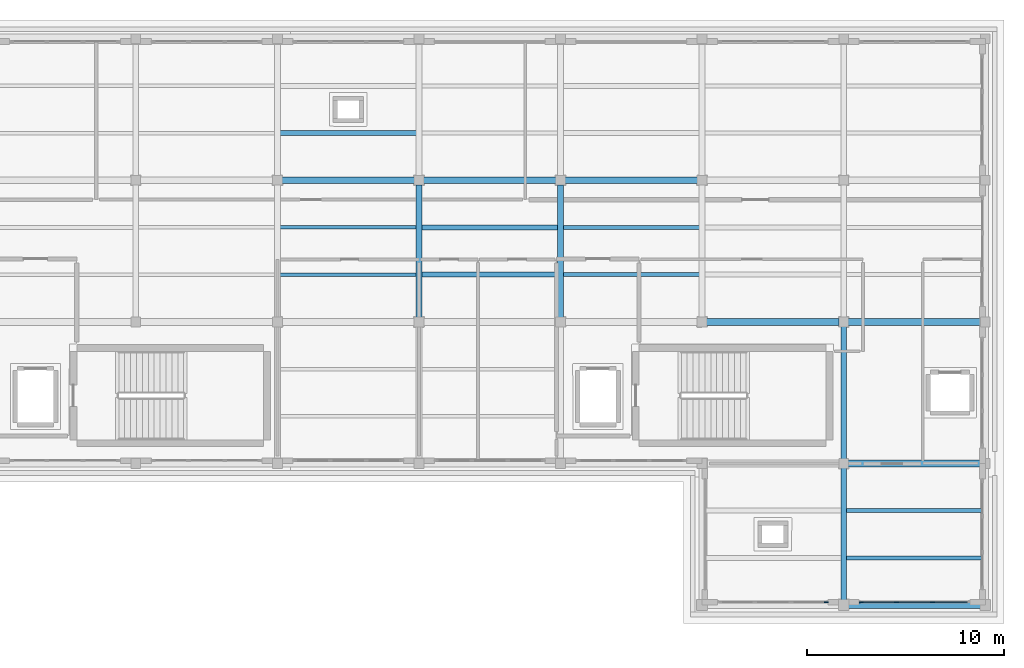
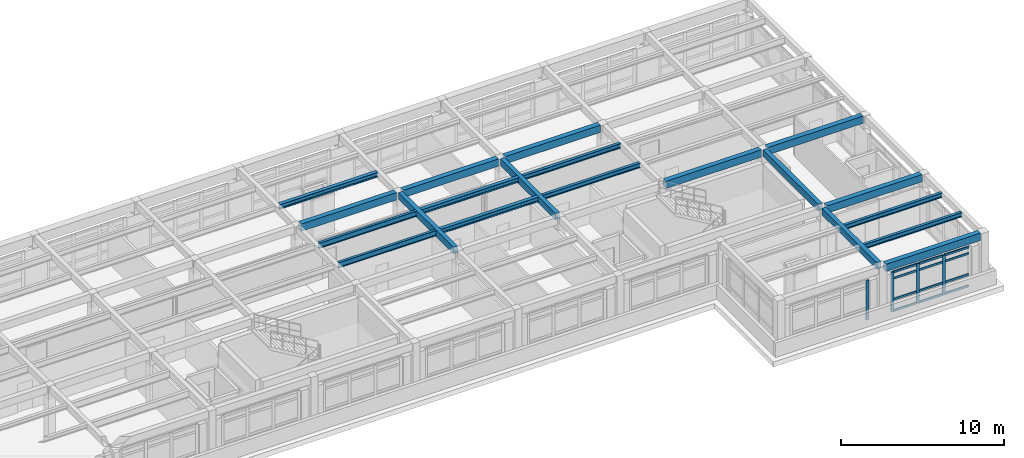
# One storey, part 7 of 20: 20 beams, 16 members, 2 elements without a shape of their own.
"""IFC4 building model written with IfcOpenShell, lengths in metres."""

from ifc_helpers import new_model, si_unit, direction, frame, origin, origin_2d, place, context, subcontext, project, spatial, rectangle, i_section, extrude, material, layer, layer_set, material_profile, profile_set, type_object, element, aggregate, save


model = new_model("IFC4")

# Units and contexts
model_context = context("Model", 3, precision=1e-05, world=origin(), true_north=direction((0.0, 1.0)))
body_context = subcontext(model_context, "Body", "Model", "MODEL_VIEW")
ifc_project = project(units=[si_unit("LENGTHUNIT", "METRE"), si_unit("AREAUNIT", "SQUARE_METRE"), si_unit("VOLUMEUNIT", "CUBIC_METRE"), si_unit("PLANEANGLEUNIT", "RADIAN"), si_unit("MASSUNIT", "GRAM", prefix="KILO")], contexts=[model_context])

# Site, building, storey
site_placement = place(None, origin())
site = spatial("IfcSite", under=ifc_project, at=site_placement, CompositionType="ELEMENT")
building_placement = place(site_placement, origin())
building = spatial("IfcBuilding", under=site, at=building_placement, Name="Solenvale Faculty of Natural Sciences", CompositionType="ELEMENT")
storey_placement = place(building_placement, frame((0.0, 0.0, 35.39990234375)))
storey = spatial("IfcBuildingStorey", under=building, at=storey_placement, Name="L08", CompositionType="ELEMENT", Elevation=35.39990234375)

# Beams
ifc_material_1 = material(Name="Concrete 40 MPa", Category="concrete")
ifc_material_profile_1 = material_profile(ifc_material_1, rectangle(XDim=0.300048828125, YDim=0.5, at=origin_2d()), Name="RC-BM-300x500")
ifc_profile_set_1 = profile_set([ifc_material_profile_1], Name="Concrete 40 MPa")
beam_type_1 = type_object("IfcBeamType", Name="BM-RC-300x500", PredefinedType="BEAM", material=ifc_profile_set_1)
for number, where, z_axis, x_axis, name in (
    (1, (122.39990234375, 101.030029296875, 3.670166015625), (0.0, 1.0, 0.0), (-1.0, 0.0, 0.0), "L08 Y-Girder X122.4 (100.8..108.0)"),
    (2, (129.60009765625, 101.030029296875, 3.670166015625), (0.0, 1.0, 0.0), (-1.0, 0.0, 0.0), "L08 Y-Girder X129.6 (100.8..108.0)"),
):
    element("IfcBeam", number, at=place(storey_placement, frame(where, z_axis=z_axis, x_axis=x_axis)), inside=storey, type_object=beam_type_1, Name=name, PredefinedType="BEAM", context=body_context, shape_type="SweptSolid", body=[
        extrude(rectangle(XDim=0.300048828125, YDim=0.5, at=origin_2d()), origin(), (0.0, 0.0, 1.0), 6.739990234375),
    ])
beam_1_placement = place(storey_placement, frame((144.0, 86.655029296875, 3.670166015625), z_axis=(0.0, 1.0, 0.0), x_axis=(-1.0, 0.0, 0.0)))
element("IfcBeam", 3, at=beam_1_placement, inside=storey, type_object=beam_type_1, Name="L08 Y-Girder X144.0 (86.4..93.6)", PredefinedType="BEAM", context=body_context, shape_type="SweptSolid", body=[
    extrude(rectangle(XDim=0.300048828125, YDim=0.5, at=origin_2d()), origin(), (0.0, 0.0, 1.0), 6.715087890625),
])
beam_2_placement = place(storey_placement, frame((144.0, 93.830078125, 3.670166015625), z_axis=(0.0, 1.0, 0.0), x_axis=(-1.0, 0.0, 0.0)))
element("IfcBeam", 4, at=beam_2_placement, inside=storey, type_object=beam_type_1, Name="L08 Y-Girder X144.0 (93.6..100.8)", PredefinedType="BEAM", context=body_context, shape_type="SweptSolid", body=[
    extrude(rectangle(XDim=0.300048828125, YDim=0.5, at=origin_2d()), origin(), (0.0, 0.0, 1.0), 6.739990234375),
])
ifc_material_profile_2 = material_profile(ifc_material_1, rectangle(XDim=0.35009765625, YDim=0.550048828125, at=origin_2d()), Name="RC-BM-350x550")
ifc_profile_set_2 = profile_set([ifc_material_profile_2], Name="Concrete 40 MPa")
beam_type_2 = type_object("IfcBeamType", Name="BM-RC-350x550", PredefinedType="BEAM", material=ifc_profile_set_2)
beam_3_placement = place(storey_placement, frame((144.2548828125, 86.39990234375, 3.64501953125), z_axis=(1.0, 0.0, 0.0), x_axis=(0.0, 1.0, 0.0)))
element("IfcBeam", 5, at=beam_3_placement, inside=storey, type_object=beam_type_2, Name="L08 X-Girder Y86.4 (144.0..151.2)", PredefinedType="BEAM", context=body_context, shape_type="SweptSolid", body=[
    extrude(rectangle(XDim=0.35009765625, YDim=0.550048828125, at=origin_2d()), origin(), (0.0, 0.0, 1.0), 6.690185546875),
])
for number, where, z_axis, x_axis, name in (
    (6, (144.22998046875, 93.60009765625, 3.64501953125), (1.0, 0.0, 0.0), (0.0, 1.0, 0.0), "L08 X-Girder Y93.6 (144.0..151.2)"),
    (7, (137.030029296875, 100.800048828125, 3.64501953125), (1.0, 0.0, 0.0), (0.0, 1.0, 0.0), "L08 X-Girder Y100.8 (136.8..144.0)"),
    (8, (144.22998046875, 100.800048828125, 3.64501953125), (1.0, 0.0, 0.0), (0.0, 1.0, 0.0), "L08 X-Girder Y100.8 (144.0..151.2)"),
    (9, (115.429931640625, 108.0, 3.64501953125), (1.0, 0.0, 0.0), (0.0, 1.0, 0.0), "L08 X-Girder Y108.0 (115.2..122.4)"),
):
    element("IfcBeam", number, at=place(storey_placement, frame(where, z_axis=z_axis, x_axis=x_axis)), inside=storey, type_object=beam_type_2, Name=name, PredefinedType="BEAM", context=body_context, shape_type="SweptSolid", body=[
        extrude(rectangle(XDim=0.35009765625, YDim=0.550048828125, at=origin_2d()), origin(), (0.0, 0.0, 1.0), 6.739990234375),
    ])
beam_4_placement = place(storey_placement, frame((122.6298828125, 108.0, 3.64501953125), z_axis=(1.0, 0.0, 0.0), x_axis=(0.0, 1.0, 0.0)))
element("IfcBeam", 10, at=beam_4_placement, inside=storey, type_object=beam_type_2, Name="L08 X-Girder Y108.0 (122.4..129.6)", PredefinedType="BEAM", context=body_context, shape_type="SweptSolid", body=[
    extrude(rectangle(XDim=0.35009765625, YDim=0.550048828125, at=origin_2d()), origin(), (0.0, 0.0, 1.0), 6.740234375),
])
beam_5_placement = place(storey_placement, frame((129.830078125, 108.0, 3.64501953125), z_axis=(1.0, 0.0, 0.0), x_axis=(0.0, 1.0, 0.0)))
element("IfcBeam", 11, at=beam_5_placement, inside=storey, type_object=beam_type_2, Name="L08 X-Girder Y108.0 (129.6..136.8)", PredefinedType="BEAM", context=body_context, shape_type="SweptSolid", body=[
    extrude(rectangle(XDim=0.35009765625, YDim=0.550048828125, at=origin_2d()), origin(), (0.0, 0.0, 1.0), 6.739990234375),
])
ifc_material_2 = material(Name="Steel S355", Category="steel")
ifc_material_profile_3 = material_profile(ifc_material_2, i_section(OverallWidth=0.2548828125, OverallDepth=0.35693359375, WebThickness=0.010498046875, FlangeThickness=0.018310546875, FilletRadius=0.014892578125, at=origin_2d()), Name="W360x101")
ifc_profile_set_3 = profile_set([ifc_material_profile_3], Name="Steel S355")
beam_type_3 = type_object("IfcBeamType", Name="BM-STL-W360x101", PredefinedType="JOIST", material=ifc_profile_set_3)
for number, where, z_axis, x_axis, name in (
    (12, (115.330078125, 110.39990234375, 3.74169921875), (1.0, 0.0, 0.0), (0.0, 1.0, 0.0), "L08 Composite Floor Joist (17,16).1"),
    (13, (122.530029296875, 103.199951171875, 3.74169921875), (1.0, 0.0, 0.0), (0.0, 1.0, 0.0), "L08 Composite Floor Joist (18,15).1"),
    (14, (122.530029296875, 105.60009765625, 3.74169921875), (1.0, 0.0, 0.0), (0.0, 1.0, 0.0), "L08 Composite Floor Joist (18,15).2"),
):
    element("IfcBeam", number, at=place(storey_placement, frame(where, z_axis=z_axis, x_axis=x_axis)), inside=storey, type_object=beam_type_3, Name=name, PredefinedType="JOIST", context=body_context, shape_type="SweptSolid", body=[
        extrude(i_section(OverallWidth=0.2548828125, OverallDepth=0.35693359375, WebThickness=0.010498046875, FlangeThickness=0.018310546875, FilletRadius=0.014892578125, at=origin_2d()), origin(), (0.0, 0.0, 1.0), 6.93994140625),
    ])
ifc_material_profile_4 = material_profile(ifc_material_2, i_section(OverallWidth=0.2041015625, OverallDepth=0.35009765625, WebThickness=0.008544921875, FlangeThickness=0.01513671875, FilletRadius=0.014892578125, at=origin_2d()), Name="W360x72")
ifc_profile_set_4 = profile_set([ifc_material_profile_4], Name="Steel S355")
beam_type_4 = type_object("IfcBeamType", Name="BM-STL-W360x72", PredefinedType="JOIST", material=ifc_profile_set_4)
for number, where, z_axis, x_axis, name in (
    (15, (129.72998046875, 103.199951171875, 3.7451171875), (1.0, 0.0, 0.0), (0.0, 1.0, 0.0), "L08 Composite Floor Joist (19,15).1"),
    (16, (129.72998046875, 105.60009765625, 3.7451171875), (1.0, 0.0, 0.0), (0.0, 1.0, 0.0), "L08 Composite Floor Joist (19,15).2"),
):
    element("IfcBeam", number, at=place(storey_placement, frame(where, z_axis=z_axis, x_axis=x_axis)), inside=storey, type_object=beam_type_4, Name=name, PredefinedType="JOIST", context=body_context, shape_type="SweptSolid", body=[
        extrude(i_section(OverallWidth=0.2041015625, OverallDepth=0.35009765625, WebThickness=0.008544921875, FlangeThickness=0.01513671875, FilletRadius=0.014892578125, at=origin_2d()), origin(), (0.0, 0.0, 1.0), 6.93994140625),
    ])
for number, where, z_axis, x_axis, name in (
    (17, (144.1298828125, 88.800048828125, 3.7451171875), (1.0, 0.0, 0.0), (0.0, 1.0, 0.0), "L08 Composite Floor Joist (21,13).1"),
    (18, (144.1298828125, 91.199951171875, 3.7451171875), (1.0, 0.0, 0.0), (0.0, 1.0, 0.0), "L08 Composite Floor Joist (21,13).2"),
):
    element("IfcBeam", number, at=place(storey_placement, frame(where, z_axis=z_axis, x_axis=x_axis)), inside=storey, type_object=beam_type_4, Name=name, PredefinedType="JOIST", context=body_context, shape_type="SweptSolid", body=[
        extrude(i_section(OverallWidth=0.2041015625, OverallDepth=0.35009765625, WebThickness=0.008544921875, FlangeThickness=0.01513671875, FilletRadius=0.014892578125, at=origin_2d()), origin(), (0.0, 0.0, 1.0), 6.940185546875),
    ])
ifc_material_profile_5 = material_profile(ifc_material_2, i_section(OverallWidth=0.178955078125, OverallDepth=0.409912109375, WebThickness=0.0087890625, FlangeThickness=0.014404296875, FilletRadius=0.01611328125, at=origin_2d()), Name="W410x67")
ifc_profile_set_5 = profile_set([ifc_material_profile_5], Name="Steel S355")
beam_type_5 = type_object("IfcBeamType", Name="BM-STL-W410x67", PredefinedType="JOIST", material=ifc_profile_set_5)
for number, where, z_axis, x_axis, name in (
    (19, (115.330078125, 103.199951171875, 3.715087890625), (1.0, 0.0, 0.0), (0.0, 1.0, 0.0), "L08 Composite Floor Joist (17,15).1"),
    (20, (115.330078125, 105.60009765625, 3.715087890625), (1.0, 0.0, 0.0), (0.0, 1.0, 0.0), "L08 Composite Floor Joist (17,15).2"),
):
    element("IfcBeam", number, at=place(storey_placement, frame(where, z_axis=z_axis, x_axis=x_axis)), inside=storey, type_object=beam_type_5, Name=name, PredefinedType="JOIST", context=body_context, shape_type="SweptSolid", body=[
        extrude(i_section(OverallWidth=0.178955078125, OverallDepth=0.409912109375, WebThickness=0.0087890625, FlangeThickness=0.014404296875, FilletRadius=0.01611328125, at=origin_2d()), origin(), (0.0, 0.0, 1.0), 6.93994140625),
    ])

# Curtain wall, member
ifc_material_3 = material(Name="Anodised bronze aluminium", Category="aluminium")
ifc_layer = layer(ifc_material_3, 0.179931640625)
ifc_layer_set = layer_set([ifc_layer], Name="Anodised bronze aluminium")
curtain_wall_type = type_object("IfcCurtainWallType", Name="CW-TWR-MOD", PredefinedType="USERDEFINED", material=ifc_layer_set)
curtain_wall_1_placement = place(storey_placement, origin())
curtain_wall_1 = element("IfcCurtainWall", 21, at=curtain_wall_1_placement, inside=storey, type_object=curtain_wall_type, Name="L08 Curtain Wall CW-L08-P1-E6-B1", ObjectType="UNITISED CURTAIN WALL", PredefinedType="USERDEFINED")
ifc_material_profile_6 = material_profile(ifc_material_3, rectangle(XDim=0.074951171875, YDim=0.2099609375, at=origin_2d()), Name="ALU-MUL-75x210")
ifc_profile_set_6 = profile_set([ifc_material_profile_6], Name="Anodised bronze aluminium")
member_type_1 = type_object("IfcMemberType", Name="CWM-ALU-75x210", PredefinedType="MULLION", material=ifc_profile_set_6)
member_1_placement = place(storey_placement, frame((143.112548828125, 86.54248046875, 0.0), z_axis=(0.0, 0.0, 1.0), x_axis=(0.0, 1.0, 0.0)))
member_1 = element("IfcMember", 22, at=member_1_placement, type_object=member_type_1, Name="CW-04 mullion 4", PredefinedType="MULLION", context=body_context, shape_type="SweptSolid", body=[
    extrude(rectangle(XDim=0.074951171875, YDim=0.2099609375, at=origin_2d()), origin(), (0.0, 0.0, 1.0), 2.960205078125),
])
aggregate(curtain_wall_1, [member_1])

# Curtain wall, members
curtain_wall_2_placement = place(storey_placement, origin())
curtain_wall_2 = element("IfcCurtainWall", 23, at=curtain_wall_2_placement, inside=storey, type_object=curtain_wall_type, Name="L08 Curtain Wall CW-L08-P1-E6-B2", ObjectType="UNITISED CURTAIN WALL", PredefinedType="USERDEFINED")
member_2_placement = place(storey_placement, frame((144.887451171875, 86.54248046875, 0.0), z_axis=(0.0, 0.0, 1.0), x_axis=(0.0, 1.0, 0.0)))
member_2 = element("IfcMember", 24, at=member_2_placement, type_object=member_type_1, Name="CW-04 mullion 1", PredefinedType="MULLION", context=body_context, shape_type="SweptSolid", body=[
    extrude(rectangle(XDim=0.074951171875, YDim=0.2099609375, at=origin_2d()), origin(), (0.0, 0.0, 1.0), 2.960205078125),
])
member_3_placement = place(storey_placement, frame((146.683349609375, 86.54248046875, 0.0), z_axis=(0.0, 0.0, 1.0), x_axis=(0.0, 1.0, 0.0)))
member_3 = element("IfcMember", 25, at=member_3_placement, type_object=member_type_1, Name="CW-04 mullion 2", PredefinedType="MULLION", context=body_context, shape_type="SweptSolid", body=[
    extrude(rectangle(XDim=0.074951171875, YDim=0.2099609375, at=origin_2d()), origin(), (0.0, 0.0, 1.0), 2.960205078125),
])
member_4_placement = place(storey_placement, frame((148.5166015625, 86.54248046875, 0.0), z_axis=(0.0, 0.0, 1.0), x_axis=(0.0, 1.0, 0.0)))
member_4 = element("IfcMember", 26, at=member_4_placement, type_object=member_type_1, Name="CW-04 mullion 3", PredefinedType="MULLION", context=body_context, shape_type="SweptSolid", body=[
    extrude(rectangle(XDim=0.074951171875, YDim=0.2099609375, at=origin_2d()), origin(), (0.0, 0.0, 1.0), 2.960205078125),
])
ifc_material_profile_7 = material_profile(ifc_material_3, rectangle(XDim=0.074951171875, YDim=0.155029296875, at=origin_2d()), Name="ALU-TRN-75x155")
ifc_profile_set_7 = profile_set([ifc_material_profile_7], Name="Anodised bronze aluminium")
member_type_2 = type_object("IfcMemberType", Name="CWT-ALU-75x155", PredefinedType="USERDEFINED", material=ifc_profile_set_7)
member_5_placement = place(storey_placement, frame((144.925048828125, 86.54248046875, 0.03759765625), z_axis=(1.0, 0.0, 0.0), x_axis=(0.0, 1.0, 0.0)))
member_5 = element("IfcMember", 27, at=member_5_placement, type_object=member_type_2, Name="CW-04 transom 1.1", ObjectType="TRANSOM", PredefinedType="USERDEFINED", context=body_context, shape_type="SweptSolid", body=[
    extrude(rectangle(XDim=0.074951171875, YDim=0.155029296875, at=origin_2d()), origin(), (0.0, 0.0, 1.0), 1.720703125),
])
member_6_placement = place(storey_placement, frame((144.925048828125, 86.54248046875, 0.900146484375), z_axis=(1.0, 0.0, 0.0), x_axis=(0.0, 1.0, 0.0)))
member_6 = element("IfcMember", 28, at=member_6_placement, type_object=member_type_2, Name="CW-04 transom 1.2", ObjectType="TRANSOM", PredefinedType="USERDEFINED", context=body_context, shape_type="SweptSolid", body=[
    extrude(rectangle(XDim=0.074951171875, YDim=0.155029296875, at=origin_2d()), origin(), (0.0, 0.0, 1.0), 1.720703125),
])
member_7_placement = place(storey_placement, frame((144.925048828125, 86.54248046875, 2.460205078125), z_axis=(1.0, 0.0, 0.0), x_axis=(0.0, 1.0, 0.0)))
member_7 = element("IfcMember", 29, at=member_7_placement, type_object=member_type_2, Name="CW-04 transom 1.3", ObjectType="TRANSOM", PredefinedType="USERDEFINED", context=body_context, shape_type="SweptSolid", body=[
    extrude(rectangle(XDim=0.074951171875, YDim=0.155029296875, at=origin_2d()), origin(), (0.0, 0.0, 1.0), 1.720703125),
])
member_8_placement = place(storey_placement, frame((144.925048828125, 86.54248046875, 2.922607421875), z_axis=(1.0, 0.0, 0.0), x_axis=(0.0, 1.0, 0.0)))
member_8 = element("IfcMember", 30, at=member_8_placement, type_object=member_type_2, Name="CW-04 transom 1.4", ObjectType="TRANSOM", PredefinedType="USERDEFINED", context=body_context, shape_type="SweptSolid", body=[
    extrude(rectangle(XDim=0.074951171875, YDim=0.155029296875, at=origin_2d()), origin(), (0.0, 0.0, 1.0), 1.720703125),
])
member_9_placement = place(storey_placement, frame((146.720947265625, 86.54248046875, 0.03759765625), z_axis=(1.0, 0.0, 0.0), x_axis=(0.0, 1.0, 0.0)))
member_9 = element("IfcMember", 31, at=member_9_placement, type_object=member_type_2, Name="CW-04 transom 2.1", ObjectType="TRANSOM", PredefinedType="USERDEFINED", context=body_context, shape_type="SweptSolid", body=[
    extrude(rectangle(XDim=0.074951171875, YDim=0.155029296875, at=origin_2d()), origin(), (0.0, 0.0, 1.0), 1.75830078125),
])
member_10_placement = place(storey_placement, frame((146.720947265625, 86.54248046875, 0.900146484375), z_axis=(1.0, 0.0, 0.0), x_axis=(0.0, 1.0, 0.0)))
member_10 = element("IfcMember", 32, at=member_10_placement, type_object=member_type_2, Name="CW-04 transom 2.2", ObjectType="TRANSOM", PredefinedType="USERDEFINED", context=body_context, shape_type="SweptSolid", body=[
    extrude(rectangle(XDim=0.074951171875, YDim=0.155029296875, at=origin_2d()), origin(), (0.0, 0.0, 1.0), 1.75830078125),
])
member_11_placement = place(storey_placement, frame((146.720947265625, 86.54248046875, 2.460205078125), z_axis=(1.0, 0.0, 0.0), x_axis=(0.0, 1.0, 0.0)))
member_11 = element("IfcMember", 33, at=member_11_placement, type_object=member_type_2, Name="CW-04 transom 2.3", ObjectType="TRANSOM", PredefinedType="USERDEFINED", context=body_context, shape_type="SweptSolid", body=[
    extrude(rectangle(XDim=0.074951171875, YDim=0.155029296875, at=origin_2d()), origin(), (0.0, 0.0, 1.0), 1.75830078125),
])
member_12_placement = place(storey_placement, frame((146.720947265625, 86.54248046875, 2.922607421875), z_axis=(1.0, 0.0, 0.0), x_axis=(0.0, 1.0, 0.0)))
member_12 = element("IfcMember", 34, at=member_12_placement, type_object=member_type_2, Name="CW-04 transom 2.4", ObjectType="TRANSOM", PredefinedType="USERDEFINED", context=body_context, shape_type="SweptSolid", body=[
    extrude(rectangle(XDim=0.074951171875, YDim=0.155029296875, at=origin_2d()), origin(), (0.0, 0.0, 1.0), 1.75830078125),
])
member_13_placement = place(storey_placement, frame((148.55419921875, 86.54248046875, 0.03759765625), z_axis=(1.0, 0.0, 0.0), x_axis=(0.0, 1.0, 0.0)))
member_13 = element("IfcMember", 35, at=member_13_placement, type_object=member_type_2, Name="CW-04 transom 3.1", ObjectType="TRANSOM", PredefinedType="USERDEFINED", context=body_context, shape_type="SweptSolid", body=[
    extrude(rectangle(XDim=0.074951171875, YDim=0.155029296875, at=origin_2d()), origin(), (0.0, 0.0, 1.0), 1.720703125),
])
member_14_placement = place(storey_placement, frame((148.55419921875, 86.54248046875, 0.900146484375), z_axis=(1.0, 0.0, 0.0), x_axis=(0.0, 1.0, 0.0)))
member_14 = element("IfcMember", 36, at=member_14_placement, type_object=member_type_2, Name="CW-04 transom 3.2", ObjectType="TRANSOM", PredefinedType="USERDEFINED", context=body_context, shape_type="SweptSolid", body=[
    extrude(rectangle(XDim=0.074951171875, YDim=0.155029296875, at=origin_2d()), origin(), (0.0, 0.0, 1.0), 1.720703125),
])
member_15_placement = place(storey_placement, frame((148.55419921875, 86.54248046875, 2.460205078125), z_axis=(1.0, 0.0, 0.0), x_axis=(0.0, 1.0, 0.0)))
member_15 = element("IfcMember", 37, at=member_15_placement, type_object=member_type_2, Name="CW-04 transom 3.3", ObjectType="TRANSOM", PredefinedType="USERDEFINED", context=body_context, shape_type="SweptSolid", body=[
    extrude(rectangle(XDim=0.074951171875, YDim=0.155029296875, at=origin_2d()), origin(), (0.0, 0.0, 1.0), 1.720703125),
])
member_16_placement = place(storey_placement, frame((148.55419921875, 86.54248046875, 2.922607421875), z_axis=(1.0, 0.0, 0.0), x_axis=(0.0, 1.0, 0.0)))
member_16 = element("IfcMember", 38, at=member_16_placement, type_object=member_type_2, Name="CW-04 transom 3.4", ObjectType="TRANSOM", PredefinedType="USERDEFINED", context=body_context, shape_type="SweptSolid", body=[
    extrude(rectangle(XDim=0.074951171875, YDim=0.155029296875, at=origin_2d()), origin(), (0.0, 0.0, 1.0), 1.720703125),
])
aggregate(curtain_wall_2, [member_2, member_3, member_4, member_5, member_6, member_7, member_8, member_9, member_10, member_11, member_12, member_13, member_14, member_15, member_16])

save(model, "model.ifc")
